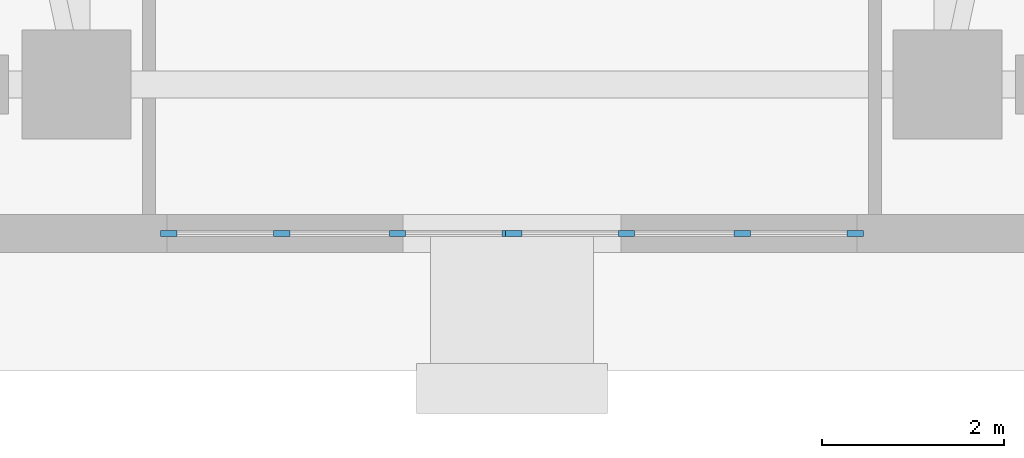
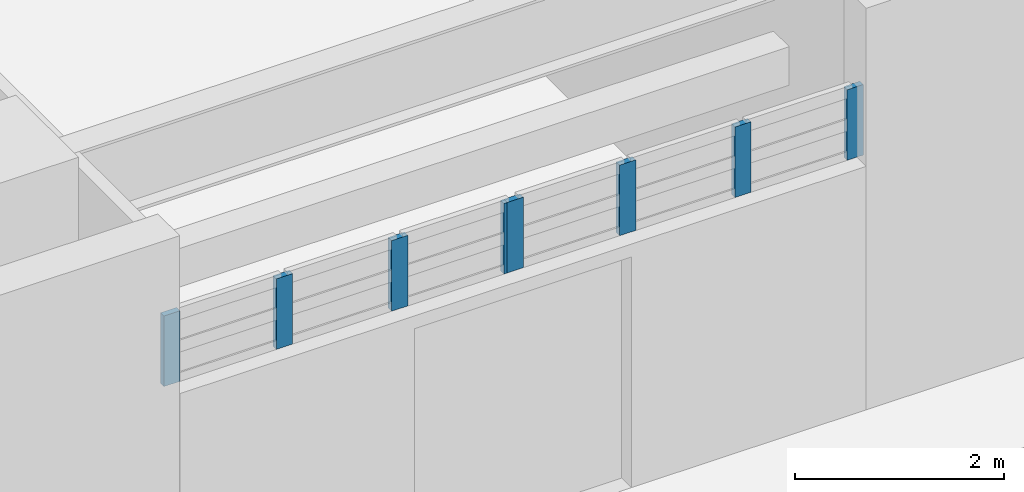
# One storey, part 6 of 21: 8 members, 2 elements without a shape of their own.
"""IFC4 building model written with IfcOpenShell, lengths in metres."""

from ifc_helpers import new_model, si_unit, direction, frame, origin, origin_2d, place, context, subcontext, project, spatial, rectangle, extrude, material, layer, layer_set, material_profile, profile_set, type_object, element, aggregate, save


model = new_model("IFC4")

# Units and contexts
model_context = context("Model", 3, precision=1e-05, world=origin(), true_north=direction((0.0, 1.0)))
body_context = subcontext(model_context, "Body", "Model", "MODEL_VIEW")
ifc_project = project(units=[si_unit("LENGTHUNIT", "METRE"), si_unit("AREAUNIT", "SQUARE_METRE"), si_unit("VOLUMEUNIT", "CUBIC_METRE"), si_unit("PLANEANGLEUNIT", "RADIAN"), si_unit("MASSUNIT", "GRAM", prefix="KILO")], contexts=[model_context])

# Site, building, storey
site_placement = place(None, origin())
site = spatial("IfcSite", under=ifc_project, at=site_placement, CompositionType="ELEMENT")
building_placement = place(site_placement, origin())
building = spatial("IfcBuilding", under=site, at=building_placement, Name="Cairnveth Concourse Tower", CompositionType="ELEMENT")
storey_placement = place(building_placement, origin())
storey = spatial("IfcBuildingStorey", under=building, at=storey_placement, Name="L00", CompositionType="ELEMENT", Elevation=0.0)

# Curtain wall, members
ifc_material = material(Name="Architectural Bronze Anodised Aluminium 6063-T6", Category="aluminium")
ifc_layer = layer(ifc_material, 0.360107421875)
ifc_layer_set = layer_set([ifc_layer], Name="Architectural Bronze Anodised Aluminium 6063-T6")
curtain_wall_type = type_object("IfcCurtainWallType", Name="CONCOURSE GALLERIA PORTAL CURTAIN WALL", PredefinedType="USERDEFINED", material=ifc_layer_set)
curtain_wall_1_placement = place(storey_placement, origin())
curtain_wall_1 = element("IfcCurtainWall", 1, at=curtain_wall_1_placement, inside=storey, type_object=curtain_wall_type, Name="Curtain Wall CW-L00-S-PORTAL1", ObjectType="UNITISED FACADE", PredefinedType="USERDEFINED")
ifc_material_profile = material_profile(ifc_material, rectangle(XDim=0.06494140625, YDim=0.179931640625, at=origin_2d()), Name="AL-MUL-65x180")
ifc_profile_set = profile_set([ifc_material_profile], Name="Architectural Bronze Anodised Aluminium 6063-T6")
member_type = type_object("IfcMemberType", Name="BRONZE CURTAIN WALL MULLION AL-MUL-65x180", PredefinedType="MULLION", material=ifc_profile_set)
member_1_placement = place(storey_placement, frame((55.782470703125, 12.2099609375, 2.85009765625), z_axis=(0.0, 0.0, 1.0), x_axis=(0.0, -1.0, 0.0)))
member_1 = element("IfcMember", 2, at=member_1_placement, type_object=member_type, Name="CWS1 mullion 1", PredefinedType="MULLION", context=body_context, shape_type="SweptSolid", body=[
    extrude(rectangle(XDim=0.06494140625, YDim=0.179931640625, at=origin_2d()), origin(), (0.0, 0.0, 1.0), 0.825927734375),
])
member_2_placement = place(storey_placement, frame((54.538330078125, 12.2099609375, 2.85009765625), z_axis=(0.0, 0.0, 1.0), x_axis=(0.0, -1.0, 0.0)))
member_2 = element("IfcMember", 3, at=member_2_placement, type_object=member_type, Name="CWS1 mullion 2", PredefinedType="MULLION", context=body_context, shape_type="SweptSolid", body=[
    extrude(rectangle(XDim=0.06494140625, YDim=0.179931640625, at=origin_2d()), origin(), (0.0, 0.0, 1.0), 0.825927734375),
])
member_3_placement = place(storey_placement, frame((53.26171875, 12.2099609375, 2.85009765625), z_axis=(0.0, 0.0, 1.0), x_axis=(0.0, -1.0, 0.0)))
member_3 = element("IfcMember", 4, at=member_3_placement, type_object=member_type, Name="CWS1 mullion 3", PredefinedType="MULLION", context=body_context, shape_type="SweptSolid", body=[
    extrude(rectangle(XDim=0.06494140625, YDim=0.179931640625, at=origin_2d()), origin(), (0.0, 0.0, 1.0), 0.825927734375),
])
member_4_placement = place(storey_placement, frame((52.017578125, 12.2099609375, 2.85009765625), z_axis=(0.0, 0.0, 1.0), x_axis=(0.0, -1.0, 0.0)))
member_4 = element("IfcMember", 5, at=member_4_placement, type_object=member_type, Name="CWS1 mullion 4", PredefinedType="MULLION", context=body_context, shape_type="SweptSolid", body=[
    extrude(rectangle(XDim=0.06494140625, YDim=0.179931640625, at=origin_2d()), origin(), (0.0, 0.0, 1.0), 0.825927734375),
])
aggregate(curtain_wall_1, [member_1, member_2, member_3, member_4])

curtain_wall_2_placement = place(storey_placement, origin())
curtain_wall_2 = element("IfcCurtainWall", 6, at=curtain_wall_2_placement, inside=storey, type_object=curtain_wall_type, Name="Curtain Wall CW-L00-S-PORTAL2", ObjectType="UNITISED FACADE", PredefinedType="USERDEFINED")
member_5_placement = place(storey_placement, frame((51.982421875, 12.2099609375, 2.85009765625), z_axis=(0.0, 0.0, 1.0), x_axis=(0.0, -1.0, 0.0)))
member_5 = element("IfcMember", 7, at=member_5_placement, type_object=member_type, Name="CWS1 mullion 1", PredefinedType="MULLION", context=body_context, shape_type="SweptSolid", body=[
    extrude(rectangle(XDim=0.06494140625, YDim=0.179931640625, at=origin_2d()), origin(), (0.0, 0.0, 1.0), 0.825927734375),
])
member_6_placement = place(storey_placement, frame((50.73828125, 12.2099609375, 2.85009765625), z_axis=(0.0, 0.0, 1.0), x_axis=(0.0, -1.0, 0.0)))
member_6 = element("IfcMember", 8, at=member_6_placement, type_object=member_type, Name="CWS1 mullion 2", PredefinedType="MULLION", context=body_context, shape_type="SweptSolid", body=[
    extrude(rectangle(XDim=0.06494140625, YDim=0.179931640625, at=origin_2d()), origin(), (0.0, 0.0, 1.0), 0.825927734375),
])
member_7_placement = place(storey_placement, frame((49.461669921875, 12.2099609375, 2.85009765625), z_axis=(0.0, 0.0, 1.0), x_axis=(0.0, -1.0, 0.0)))
member_7 = element("IfcMember", 9, at=member_7_placement, type_object=member_type, Name="CWS1 mullion 3", PredefinedType="MULLION", context=body_context, shape_type="SweptSolid", body=[
    extrude(rectangle(XDim=0.06494140625, YDim=0.179931640625, at=origin_2d()), origin(), (0.0, 0.0, 1.0), 0.825927734375),
])
member_8_placement = place(storey_placement, frame((48.217529296875, 12.2099609375, 2.85009765625), z_axis=(0.0, 0.0, 1.0), x_axis=(0.0, -1.0, 0.0)))
member_8 = element("IfcMember", 10, at=member_8_placement, type_object=member_type, Name="CWS1 mullion 4", PredefinedType="MULLION", context=body_context, shape_type="SweptSolid", body=[
    extrude(rectangle(XDim=0.06494140625, YDim=0.179931640625, at=origin_2d()), origin(), (0.0, 0.0, 1.0), 0.825927734375),
])
aggregate(curtain_wall_2, [member_5, member_6, member_7, member_8])

save(model, "model.ifc")
